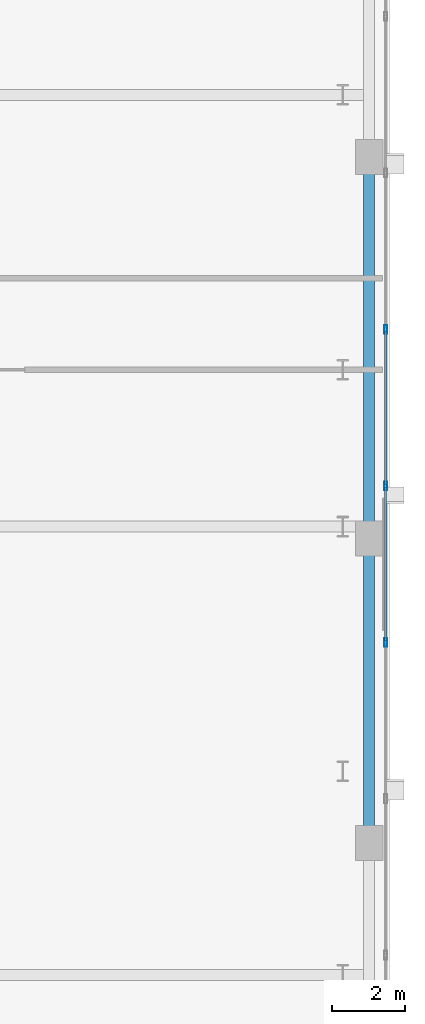
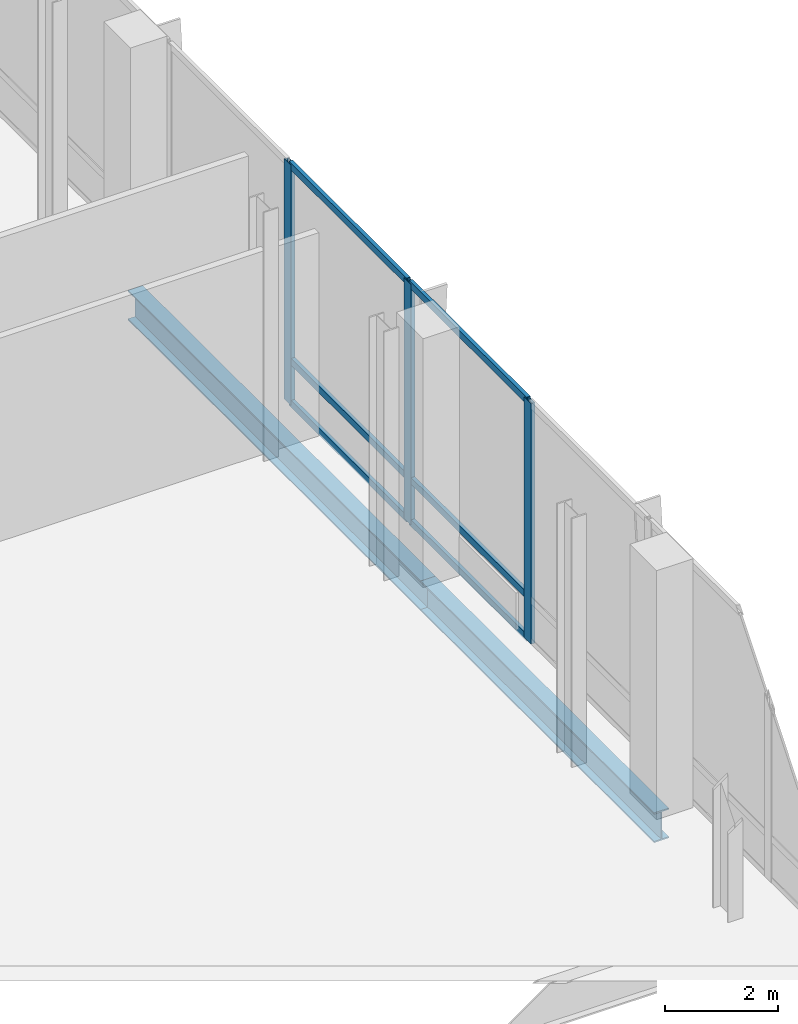
# One storey, part 15 of 26: 9 members, 2 beams, 1 element without a shape of its own.
"""IFC4 building model written with IfcOpenShell, lengths in metres."""

from ifc_helpers import new_model, si_unit, direction, frame, origin, origin_2d, place, context, subcontext, project, spatial, hollow_rectangle, i_section, extrude, material, material_profile, profile_set, type_object, element, aggregate, save


model = new_model("IFC4")

# Units and contexts
model_context = context("Model", 3, precision=1e-05, world=origin(), true_north=direction((0.0, 1.0)))
body_context = subcontext(model_context, "Body", "Model", "MODEL_VIEW")
ifc_project = project(units=[si_unit("LENGTHUNIT", "METRE"), si_unit("AREAUNIT", "SQUARE_METRE"), si_unit("VOLUMEUNIT", "CUBIC_METRE"), si_unit("PLANEANGLEUNIT", "RADIAN"), si_unit("MASSUNIT", "GRAM", prefix="KILO")], contexts=[model_context])

# Site, building, storey
site_placement = place(None, origin())
site = spatial("IfcSite", under=ifc_project, at=site_placement, CompositionType="ELEMENT")
building_placement = place(site_placement, origin())
building = spatial("IfcBuilding", under=site, at=building_placement, Name="Khoronbel Lancet Exchange", CompositionType="ELEMENT")
storey_placement = place(building_placement, frame((0.0, 0.0, 20.39990234375)))
storey = spatial("IfcBuildingStorey", under=building, at=storey_placement, Name="L04", CompositionType="ELEMENT", Elevation=20.39990234375)

# Beams
ifc_material_1 = material(Name="Steel S355", Category="steel")
ifc_material_profile_1 = material_profile(ifc_material_1, i_section(OverallWidth=0.300048828125, OverallDepth=0.64990234375, WebThickness=0.01611328125, FlangeThickness=0.031005859375, at=origin_2d()), Name="HEB 650")
ifc_profile_set_1 = profile_set([ifc_material_profile_1], Name="Steel S355")
beam_type = type_object("IfcBeamType", Name="BM-BSP1", PredefinedType="SPANDREL", material=ifc_profile_set_1)
beam_1_placement = place(storey_placement, frame((72.35009765625, 22.800048828125, -0.544921875), z_axis=(0.0, 1.0, 0.0), x_axis=(-1.0, 0.0, 0.0)))
element("IfcBeam", 1, at=beam_1_placement, inside=storey, type_object=beam_type, Name="Level L04 perimeter spandrel beam SP10", PredefinedType="SPANDREL", context=body_context, shape_type="SweptSolid", body=[
    extrude(i_section(OverallWidth=0.300048828125, OverallDepth=0.64990234375, WebThickness=0.01611328125, FlangeThickness=0.031005859375, at=origin_2d()), origin(), (0.0, 0.0, 1.0), 8.300048828125),
])
beam_2_placement = place(storey_placement, frame((72.35009765625, 31.10009765625, -0.544921875), z_axis=(0.0, 1.0, 0.0), x_axis=(-1.0, 0.0, 0.0)))
element("IfcBeam", 2, at=beam_2_placement, inside=storey, type_object=beam_type, Name="Level L04 perimeter spandrel beam SP11", PredefinedType="SPANDREL", context=body_context, shape_type="SweptSolid", body=[
    extrude(i_section(OverallWidth=0.300048828125, OverallDepth=0.64990234375, WebThickness=0.01611328125, FlangeThickness=0.031005859375, at=origin_2d()), origin(), (0.0, 0.0, 1.0), 10.39990234375),
])

# Curtain wall, members
ifc_material_2 = material(Name="Low-E Solar Control Insulating Glass", Category="glass")
curtain_wall_type = type_object("IfcCurtainWallType", Name="CW-5", PredefinedType="NOTDEFINED", material=ifc_material_2)
curtain_wall_placement = place(storey_placement, origin())
curtain_wall = element("IfcCurtainWall", 3, at=curtain_wall_placement, inside=storey, type_object=curtain_wall_type, Name="Unitised curtain wall CW-L04-EAST", PredefinedType="NOTDEFINED")
ifc_material_3 = material(Name="Bronze-Anodised Aluminium 6063-T6", Category="aluminium")
ifc_material_profile_2 = material_profile(ifc_material_3, hollow_rectangle(XDim=0.0849609375, YDim=0.239990234375, WallThickness=0.006103515625, at=origin_2d()), Name="ALU MULLION 85x240")
ifc_profile_set_2 = profile_set([ifc_material_profile_2], Name="Bronze-Anodised Aluminium 6063-T6")
member_type_1 = type_object("IfcMemberType", Name="MEM-CWM1", PredefinedType="MULLION", material=ifc_profile_set_2)
member_1_placement = place(storey_placement, frame((72.800048828125, 28.2666015625, 0.0), z_axis=(0.0, 0.0, 1.0), x_axis=(-1.0, 0.0, 0.0)))
member_1 = element("IfcMember", 4, at=member_1_placement, type_object=member_type_1, Name="CW5 mullion 5", PredefinedType="MULLION", context=body_context, shape_type="SweptSolid", body=[
    extrude(hollow_rectangle(XDim=0.0849609375, YDim=0.239990234375, WallThickness=0.006103515625, at=origin_2d()), origin(), (0.0, 0.0, 1.0), 5.22021484375),
])
member_2_placement = place(storey_placement, frame((72.800048828125, 32.533447265625, 0.0), z_axis=(0.0, 0.0, 1.0), x_axis=(-1.0, 0.0, 0.0)))
member_2 = element("IfcMember", 5, at=member_2_placement, type_object=member_type_1, Name="CW5 mullion 6", PredefinedType="MULLION", context=body_context, shape_type="SweptSolid", body=[
    extrude(hollow_rectangle(XDim=0.0849609375, YDim=0.239990234375, WallThickness=0.006103515625, at=origin_2d()), origin(), (0.0, 0.0, 1.0), 5.22021484375),
])
member_3_placement = place(storey_placement, frame((72.800048828125, 36.800048828125, 0.0), z_axis=(0.0, 0.0, 1.0), x_axis=(-1.0, 0.0, 0.0)))
member_3 = element("IfcMember", 6, at=member_3_placement, type_object=member_type_1, Name="CW5 mullion 7", PredefinedType="MULLION", context=body_context, shape_type="SweptSolid", body=[
    extrude(hollow_rectangle(XDim=0.0849609375, YDim=0.239990234375, WallThickness=0.006103515625, at=origin_2d()), origin(), (0.0, 0.0, 1.0), 5.22021484375),
])
ifc_material_profile_3 = material_profile(ifc_material_3, hollow_rectangle(XDim=0.074951171875, YDim=0.14990234375, WallThickness=0.00439453125, at=origin_2d()), Name="ALU TRANSOM 75x150")
ifc_profile_set_3 = profile_set([ifc_material_profile_3], Name="Bronze-Anodised Aluminium 6063-T6")
member_type_2 = type_object("IfcMemberType", Name="MEM-CWT2", PredefinedType="USERDEFINED", material=ifc_profile_set_3)
member_4_placement = place(storey_placement, frame((72.800048828125, 28.30908203125, 0.03759765625), z_axis=(0.0, 1.0, 0.0), x_axis=(-1.0, 0.0, 0.0)))
member_4 = element("IfcMember", 7, at=member_4_placement, type_object=member_type_2, Name="CW5 transom 5.1", ObjectType="TRANSOM", PredefinedType="USERDEFINED", context=body_context, shape_type="SweptSolid", body=[
    extrude(hollow_rectangle(XDim=0.074951171875, YDim=0.14990234375, WallThickness=0.00439453125, at=origin_2d()), origin(), (0.0, 0.0, 1.0), 4.181640625),
])
member_5_placement = place(storey_placement, frame((72.800048828125, 28.30908203125, 0.9501953125), z_axis=(0.0, 1.0, 0.0), x_axis=(-1.0, 0.0, 0.0)))
member_5 = element("IfcMember", 8, at=member_5_placement, type_object=member_type_2, Name="CW5 transom 5.2", ObjectType="TRANSOM", PredefinedType="USERDEFINED", context=body_context, shape_type="SweptSolid", body=[
    extrude(hollow_rectangle(XDim=0.074951171875, YDim=0.14990234375, WallThickness=0.00439453125, at=origin_2d()), origin(), (0.0, 0.0, 1.0), 4.181640625),
])
member_6_placement = place(storey_placement, frame((72.800048828125, 28.30908203125, 5.1826171875), z_axis=(0.0, 1.0, 0.0), x_axis=(-1.0, 0.0, 0.0)))
member_6 = element("IfcMember", 9, at=member_6_placement, type_object=member_type_2, Name="CW5 transom 5.3", ObjectType="TRANSOM", PredefinedType="USERDEFINED", context=body_context, shape_type="SweptSolid", body=[
    extrude(hollow_rectangle(XDim=0.074951171875, YDim=0.14990234375, WallThickness=0.00439453125, at=origin_2d()), origin(), (0.0, 0.0, 1.0), 4.181640625),
])
member_7_placement = place(storey_placement, frame((72.800048828125, 32.575927734375, 0.03759765625), z_axis=(0.0, 1.0, 0.0), x_axis=(-1.0, 0.0, 0.0)))
member_7 = element("IfcMember", 10, at=member_7_placement, type_object=member_type_2, Name="CW5 transom 6.1", ObjectType="TRANSOM", PredefinedType="USERDEFINED", context=body_context, shape_type="SweptSolid", body=[
    extrude(hollow_rectangle(XDim=0.074951171875, YDim=0.14990234375, WallThickness=0.00439453125, at=origin_2d()), origin(), (0.0, 0.0, 1.0), 4.181640625),
])
member_8_placement = place(storey_placement, frame((72.800048828125, 32.575927734375, 0.9501953125), z_axis=(0.0, 1.0, 0.0), x_axis=(-1.0, 0.0, 0.0)))
member_8 = element("IfcMember", 11, at=member_8_placement, type_object=member_type_2, Name="CW5 transom 6.2", ObjectType="TRANSOM", PredefinedType="USERDEFINED", context=body_context, shape_type="SweptSolid", body=[
    extrude(hollow_rectangle(XDim=0.074951171875, YDim=0.14990234375, WallThickness=0.00439453125, at=origin_2d()), origin(), (0.0, 0.0, 1.0), 4.181640625),
])
member_9_placement = place(storey_placement, frame((72.800048828125, 32.575927734375, 5.1826171875), z_axis=(0.0, 1.0, 0.0), x_axis=(-1.0, 0.0, 0.0)))
member_9 = element("IfcMember", 12, at=member_9_placement, type_object=member_type_2, Name="CW5 transom 6.3", ObjectType="TRANSOM", PredefinedType="USERDEFINED", context=body_context, shape_type="SweptSolid", body=[
    extrude(hollow_rectangle(XDim=0.074951171875, YDim=0.14990234375, WallThickness=0.00439453125, at=origin_2d()), origin(), (0.0, 0.0, 1.0), 4.181640625),
])
aggregate(curtain_wall, [member_1, member_2, member_3, member_4, member_5, member_6, member_7, member_8, member_9])

save(model, "model.ifc")
